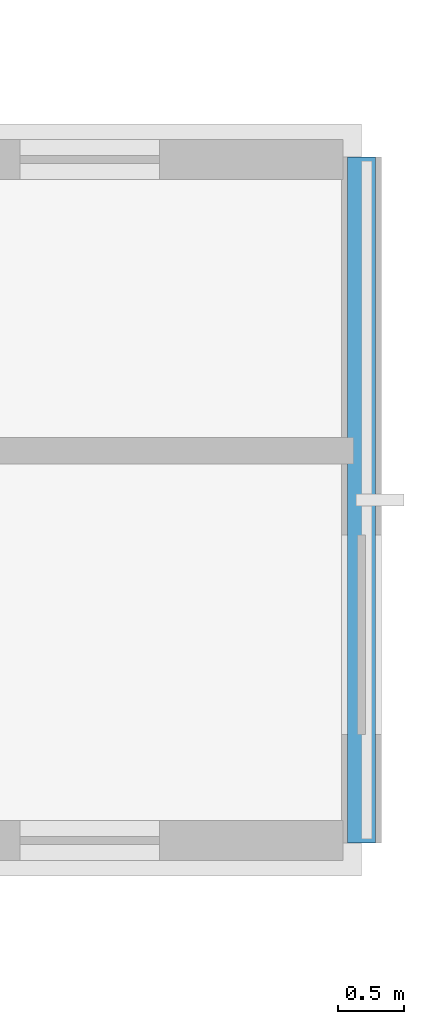
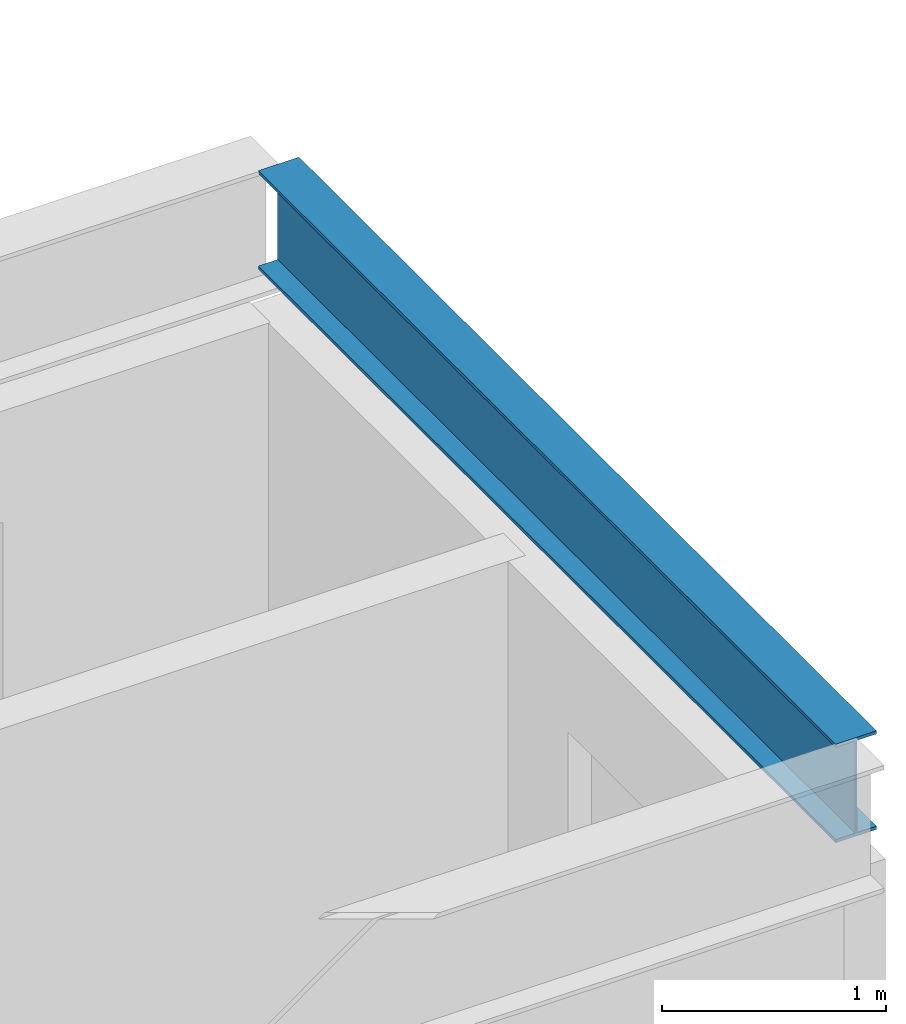
# One storey, part 12 of 30: 1 beam.
"""IFC4 building model written with IfcOpenShell, lengths in metres."""

from ifc_helpers import new_model, si_unit, direction, frame, origin, origin_2d, place, context, subcontext, project, spatial, i_section, extrude, material, material_profile, profile_set, type_object, element, save


model = new_model("IFC4")

# Units and contexts
model_context = context("Model", 3, precision=1e-05, world=origin(), true_north=direction((0.0, 1.0)))
body_context = subcontext(model_context, "Body", "Model", "MODEL_VIEW")
ifc_project = project(units=[si_unit("LENGTHUNIT", "METRE"), si_unit("AREAUNIT", "SQUARE_METRE"), si_unit("VOLUMEUNIT", "CUBIC_METRE"), si_unit("PLANEANGLEUNIT", "RADIAN"), si_unit("MASSUNIT", "GRAM", prefix="KILO")], contexts=[model_context])

# Site, building, storey
site_placement = place(None, origin())
site = spatial("IfcSite", under=ifc_project, at=site_placement, CompositionType="ELEMENT")
building_placement = place(site_placement, origin())
building = spatial("IfcBuilding", under=site, at=building_placement, Name="Surkhivell Harbour Commons", CompositionType="ELEMENT")
storey_placement = place(building_placement, frame((0.0, 0.0, 303.75)))
storey = spatial("IfcBuildingStorey", under=building, at=storey_placement, Name="L79", CompositionType="ELEMENT", Elevation=303.75)

# Beam
ifc_material = material(Name="Steel S355", Category="steel")
ifc_material_profile = material_profile(ifc_material, i_section(OverallWidth=0.2099609375, OverallDepth=0.537109375, WebThickness=0.0107421875, FlangeThickness=0.017333984375, at=origin_2d()), Name="UB533x210x101")
ifc_profile_set = profile_set([ifc_material_profile], Name="Steel S355")
beam_type = type_object("IfcBeamType", Name="BM-GRD-533B", PredefinedType="BEAM", material=ifc_profile_set)
beam_placement = place(storey_placement, frame((20.5, 0.1220703125, 3.301513671875), z_axis=(0.0, 1.0, 0.0), x_axis=(-1.0, 0.0, 0.0)))
element("IfcBeam", 1, at=beam_placement, inside=storey, type_object=beam_type, Name="L79 Box Rim Spandrel (20.5,0.0)", PredefinedType="BEAM", context=body_context, shape_type="SweptSolid", body=[
    extrude(i_section(OverallWidth=0.2099609375, OverallDepth=0.537109375, WebThickness=0.0107421875, FlangeThickness=0.017333984375, at=origin_2d()), origin(), (0.0, 0.0, 1.0), 5.156005859375),
])

save(model, "model.ifc")
